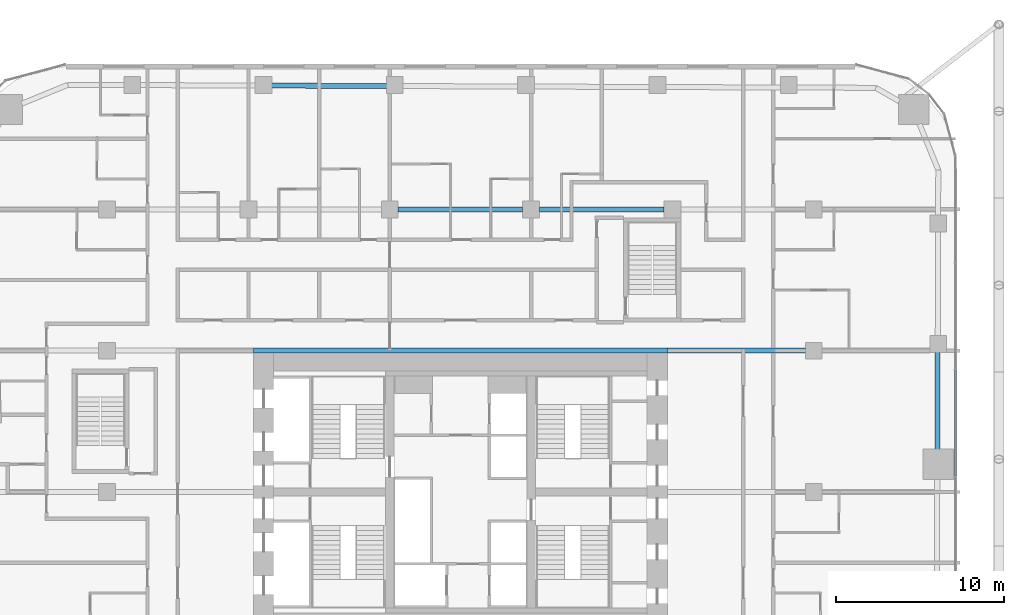
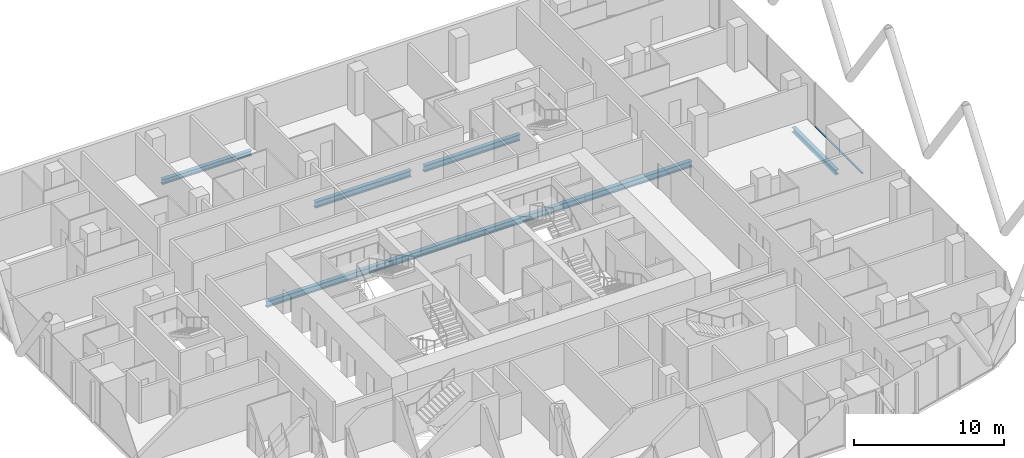
# One storey, part 11 of 35: 6 beams, 1 member, 1 element without a shape of its own.
"""IFC4 building model written with IfcOpenShell, lengths in metres."""

from ifc_helpers import new_model, si_unit, direction, frame, origin, origin_2d, place, context, subcontext, project, spatial, rectangle, i_section, extrude, material, layer, layer_set, material_profile, profile_set, type_object, element, aggregate, save


model = new_model("IFC4")

# Units and contexts
model_context = context("Model", 3, precision=1e-05, world=origin(), true_north=direction((0.0, 1.0)))
body_context = subcontext(model_context, "Body", "Model", "MODEL_VIEW")
ifc_project = project(units=[si_unit("LENGTHUNIT", "METRE"), si_unit("AREAUNIT", "SQUARE_METRE"), si_unit("VOLUMEUNIT", "CUBIC_METRE"), si_unit("PLANEANGLEUNIT", "RADIAN"), si_unit("MASSUNIT", "GRAM", prefix="KILO")], contexts=[model_context])

# Site, building, storey
site_placement = place(None, origin())
site = spatial("IfcSite", under=ifc_project, at=site_placement, CompositionType="ELEMENT")
building_placement = place(site_placement, origin())
building = spatial("IfcBuilding", under=site, at=building_placement, Name="Marenta Gate Hotel Tower", CompositionType="ELEMENT")
storey_placement = place(building_placement, frame((0.0, 0.0, 61.699951171875)))
storey = spatial("IfcBuildingStorey", under=building, at=storey_placement, Name="L13", CompositionType="ELEMENT", Elevation=61.699951171875)

# Beams
ifc_material_1 = material(Name="Steel S355", Category="steel")
ifc_material_profile_1 = material_profile(ifc_material_1, i_section(OverallWidth=0.300048828125, OverallDepth=0.39990234375, WebThickness=0.013427734375, FlangeThickness=0.02392578125, FilletRadius=0.027099609375, at=origin_2d()), Name="HEB 400")
ifc_profile_set_1 = profile_set([ifc_material_profile_1], Name="Steel S355")
beam_type_1 = type_object("IfcBeamType", Name="Edge beam HEB 400", PredefinedType="SPANDREL", material=ifc_profile_set_1)
beam_1_placement = place(storey_placement, frame((-11.244140625, 32.554931640625, -0.4599609375), z_axis=(0.999993064268, -0.003724435008, 0.0), x_axis=(0.003724435008, 0.999993064268, 0.0)))
element("IfcBeam", 1, at=beam_1_placement, inside=storey, type_object=beam_type_1, Name="L13-EB-15", PredefinedType="SPANDREL", context=body_context, shape_type="SweptSolid", body=[
    extrude(i_section(OverallWidth=0.300048828125, OverallDepth=0.39990234375, WebThickness=0.013427734375, FlangeThickness=0.02392578125, FilletRadius=0.027099609375, at=origin_2d()), origin(), (0.0, 0.0, 1.0), 6.8828125),
])
beam_2_placement = place(storey_placement, frame((28.364013671875, 16.7431640625, -0.4599609375), z_axis=(-0.003306389661, -0.999994533879, 0.0), x_axis=(0.999994533879, -0.003306389661, 0.0)))
element("IfcBeam", 2, at=beam_2_placement, inside=storey, type_object=beam_type_1, Name="L13-EB-24", PredefinedType="SPANDREL", context=body_context, shape_type="SweptSolid", body=[
    extrude(i_section(OverallWidth=0.300048828125, OverallDepth=0.39990234375, WebThickness=0.013427734375, FlangeThickness=0.02392578125, FilletRadius=0.027099609375, at=origin_2d()), origin(), (0.0, 0.0, 1.0), 5.833251953125),
])
ifc_material_2 = material(Name="Steel S355", Category="steel")
ifc_material_profile_2 = material_profile(ifc_material_2, i_section(OverallWidth=0.300048828125, OverallDepth=0.5, WebThickness=0.014404296875, FlangeThickness=0.028076171875, FilletRadius=0.027099609375, at=origin_2d()), Name="HEB 500")
ifc_profile_set_2 = profile_set([ifc_material_profile_2], Name="Steel S355")
beam_type_2 = type_object("IfcBeamType", Name="Girder HEB 500", PredefinedType="BEAM", material=ifc_profile_set_2)
beam_3_placement = place(storey_placement, frame((-12.300048828125, 16.800048828125, -0.510009765625), z_axis=(1.0, 0.0, 0.0), x_axis=(0.0, 1.0, 0.0)))
element("IfcBeam", 3, at=beam_3_placement, inside=storey, type_object=beam_type_2, Name="L13-GD-19", PredefinedType="BEAM", context=body_context, shape_type="SweptSolid", body=[
    extrude(i_section(OverallWidth=0.300048828125, OverallDepth=0.5, WebThickness=0.014404296875, FlangeThickness=0.028076171875, FilletRadius=0.027099609375, at=origin_2d()), origin(), (0.0, 0.0, 1.0), 24.60009765625),
])
beam_4_placement = place(storey_placement, frame((12.300048828125, 16.800048828125, -0.510009765625), z_axis=(1.0, 0.0, 0.0), x_axis=(0.0, 1.0, 0.0)))
element("IfcBeam", 4, at=beam_4_placement, inside=storey, type_object=beam_type_2, Name="L13-GD-20", PredefinedType="BEAM", context=body_context, shape_type="SweptSolid", body=[
    extrude(i_section(OverallWidth=0.300048828125, OverallDepth=0.5, WebThickness=0.014404296875, FlangeThickness=0.028076171875, FilletRadius=0.027099609375, at=origin_2d()), origin(), (0.0, 0.0, 1.0), 8.199951171875),
])
beam_5_placement = place(storey_placement, frame((-3.699951171875, 25.199951171875, -0.510009765625), z_axis=(1.0, 0.0, 0.0), x_axis=(0.0, 1.0, 0.0)))
element("IfcBeam", 5, at=beam_5_placement, inside=storey, type_object=beam_type_2, Name="L13-GD-25", PredefinedType="BEAM", context=body_context, shape_type="SweptSolid", body=[
    extrude(i_section(OverallWidth=0.300048828125, OverallDepth=0.5, WebThickness=0.014404296875, FlangeThickness=0.028076171875, FilletRadius=0.027099609375, at=origin_2d()), origin(), (0.0, 0.0, 1.0), 7.39990234375),
])
beam_6_placement = place(storey_placement, frame((4.699951171875, 25.199951171875, -0.510009765625), z_axis=(1.0, 0.0, 0.0), x_axis=(0.0, 1.0, 0.0)))
element("IfcBeam", 6, at=beam_6_placement, inside=storey, type_object=beam_type_2, Name="L13-GD-26", PredefinedType="BEAM", context=body_context, shape_type="SweptSolid", body=[
    extrude(i_section(OverallWidth=0.300048828125, OverallDepth=0.5, WebThickness=0.014404296875, FlangeThickness=0.028076171875, FilletRadius=0.027099609375, at=origin_2d()), origin(), (0.0, 0.0, 1.0), 7.400146484375),
])

# Curtain wall, member
ifc_material_3 = material(Name="Tinted insulated glass in bronze anodised frame", Category="glass")
ifc_layer = layer(ifc_material_3, 0.1201171875)
ifc_layer_set = layer_set([ifc_layer], Name="Tinted insulated glass in bronze anodised frame")
curtain_wall_type = type_object("IfcCurtainWallType", Name="Tower unitised curtain wall CW1", PredefinedType="NOTDEFINED", material=ifc_layer_set)
curtain_wall_placement = place(storey_placement, origin())
curtain_wall = element("IfcCurtainWall", 7, at=curtain_wall_placement, inside=storey, type_object=curtain_wall_type, Name="CW1 run G18", PredefinedType="NOTDEFINED")
ifc_material_4 = material(Name="Bronze anodised aluminium", Category="aluminium")
ifc_material_profile_3 = material_profile(ifc_material_4, rectangle(XDim=0.1201171875, YDim=0.06005859375, at=origin_2d()), Name="Transom CW1 60x120 bronze anodised aluminium")
ifc_profile_set_3 = profile_set([ifc_material_profile_3], Name="Bronze anodised aluminium")
member_type = type_object("IfcMemberType", Name="Transom CW1 60x120 bronze anodised aluminium", PredefinedType="USERDEFINED", material=ifc_profile_set_3)
member_placement = place(storey_placement, frame((29.4140625, 9.342041015625, 0.030029296875), z_axis=(0.0, 1.0, 0.0), x_axis=(-1.0, 0.0, 0.0)))
member = element("IfcMember", 8, at=member_placement, type_object=member_type, Name="CW1 transom 4.1", ObjectType="TRANSOM", PredefinedType="USERDEFINED", context=body_context, shape_type="SweptSolid", body=[
    extrude(rectangle(XDim=0.1201171875, YDim=0.06005859375, at=origin_2d()), origin(), (0.0, 0.0, 1.0), 6.2998046875),
])
aggregate(curtain_wall, [member])

save(model, "model.ifc")
